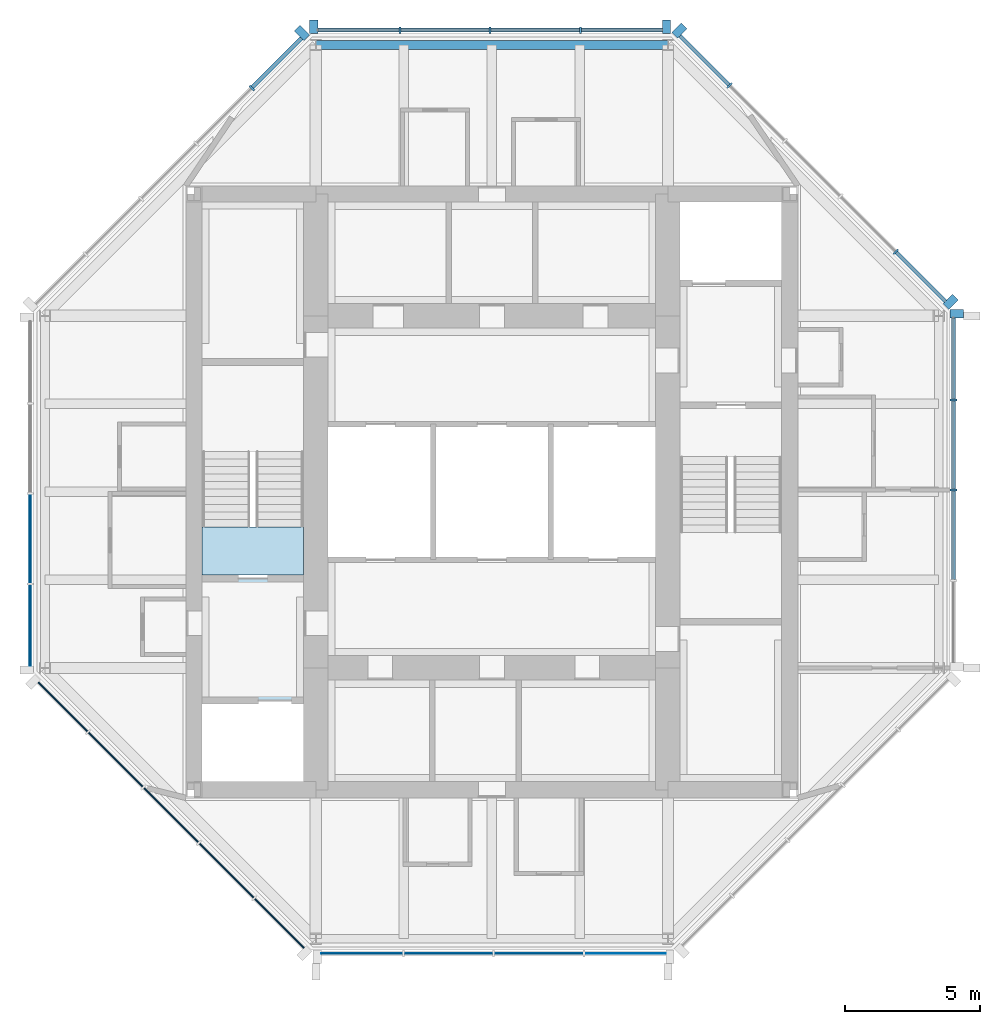
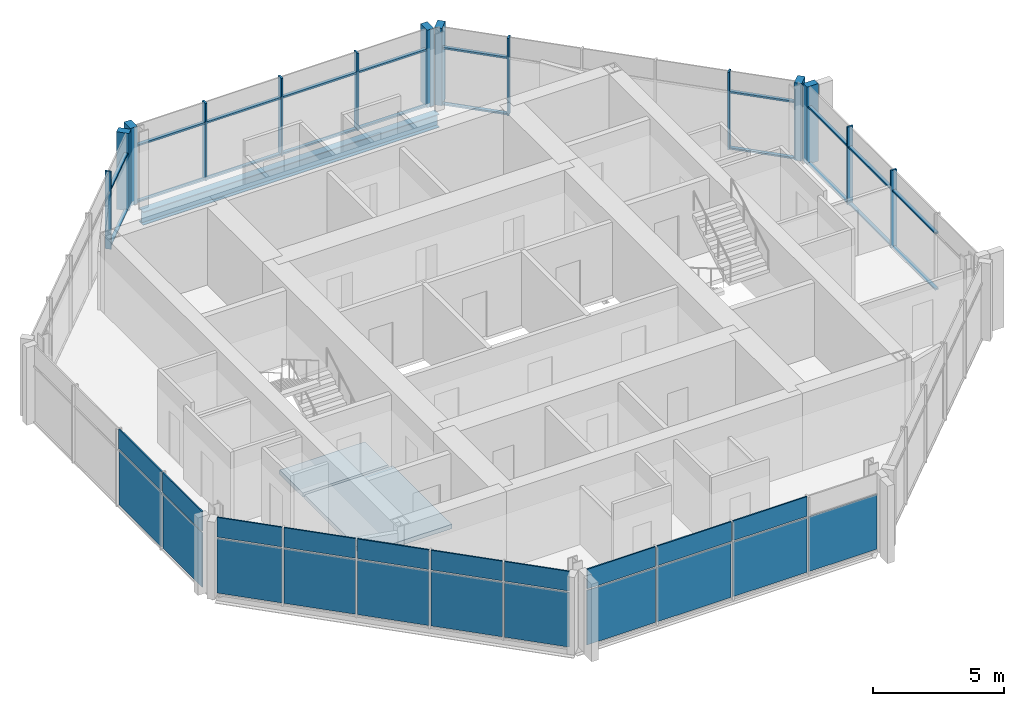
# One storey, part 3 of 8: 34 members, 21 plates, 2 slabs, 1 beam, 8 elements without a shape of their own.
"""IFC4 building model written with IfcOpenShell, lengths in metres."""

import ifcopenshell
import ifcopenshell.guid

model = None  # the IFC model being written
_history = None  # IfcOwnerHistory: only IFC2X3 demands one
_inside = {}  # id of a spatial element -> (the spatial element, [elements in it])
_under = {}  # id of a project, library or spatial element -> (it, [spatial elements below it])
_declared = {}  # id of a project -> (the project, [libraries it declares])
_typed = {}  # id of a type object -> (the type object, [elements of that type])
_made_of = {}  # id of a material, layer set ... -> (it, [elements and type objects made of it])


def new_model(schema):
    """Start an empty IFC model of exactly this schema.

    Asked for "IFC4X3", IfcOpenShell would pick the latest addendum, in which some entities
    have other attributes; the version numbers below select the first issue.
    IFC2X3 requires an IfcOwnerHistory on every rooted entity: one is made here for all.
    """
    global model, _history
    if schema == "IFC4X3":
        model = ifcopenshell.file(schema_version=(4, 3, 0, 0))
    else:
        model = ifcopenshell.file(schema=schema)
    _inside.clear()
    _under.clear()
    _declared.clear()
    _typed.clear()
    _made_of.clear()
    _history = None
    if model.schema == "IFC2X3":
        org = make("IfcOrganization", Name="unknown")
        user = make(
            "IfcPersonAndOrganization",
            ThePerson=make("IfcPerson", FamilyName="unknown"),
            TheOrganization=org,
        )
        app = make(
            "IfcApplication",
            ApplicationDeveloper=org,
            Version="unknown",
            ApplicationFullName="unknown",
            ApplicationIdentifier="unknown",
        )
        _history = make(
            "IfcOwnerHistory",
            OwningUser=user,
            OwningApplication=app,
            ChangeAction="ADDED",
            CreationDate=0,
        )
    return model


def make(cls, **values):
    """One entity of the class cls with the attributes given. An attribute that is None is left unset."""
    return model.create_entity(
        cls, **{name: value for name, value in values.items() if value is not None}
    )


def rooted(cls, **values):
    """An entity with a GlobalId (a new one), such as an element, a storey or a relation."""
    return make(cls, GlobalId=ifcopenshell.guid.new(), OwnerHistory=_history, **values)


def si_unit(unit_type, name, prefix=None):
    """IfcSIUnit, for example si_unit("LENGTHUNIT", "METRE", prefix="MILLI")."""
    return make("IfcSIUnit", UnitType=unit_type, Prefix=prefix, Name=name)


def assignment(units):
    """IfcUnitAssignment: the units of a project."""
    return None if units is None else make("IfcUnitAssignment", Units=units)


def point(xyz):
    """IfcCartesianPoint."""
    return None if xyz is None else make("IfcCartesianPoint", Coordinates=xyz)


def direction(xyz):
    """IfcDirection."""
    return None if xyz is None else make("IfcDirection", DirectionRatios=xyz)


def frame(location, z_axis=None, x_axis=None):
    """IfcAxis2Placement3D, a coordinate frame: its origin and axes. An axis left out is left unset."""
    return make(
        "IfcAxis2Placement3D",
        Location=point(location),
        Axis=direction(z_axis),
        RefDirection=direction(x_axis),
    )


def frame_2d(location, x_axis=None):
    """IfcAxis2Placement2D, a coordinate frame in the plane: its origin and x axis."""
    return make(
        "IfcAxis2Placement2D", Location=point(location), RefDirection=direction(x_axis)
    )


def origin():
    """The frame at (0, 0, 0) with its axes left unset."""
    return frame((0.0, 0.0, 0.0))


def origin_2d():
    """The frame at (0, 0) in the plane with its x axis left unset."""
    return frame_2d((0.0, 0.0))


def place(relative_to, where):
    """IfcLocalPlacement: puts the frame where relative to a parent placement (None: the world)."""
    return make(
        "IfcLocalPlacement", PlacementRelTo=relative_to, RelativePlacement=where
    )


def context(
    kind, dimensions, precision=None, world=None, true_north=None, identifier=None
):
    """IfcGeometricRepresentationContext, for example the 3D "Model" context."""
    return make(
        "IfcGeometricRepresentationContext",
        ContextIdentifier=identifier,
        ContextType=kind,
        CoordinateSpaceDimension=dimensions,
        Precision=precision,
        WorldCoordinateSystem=world,
        TrueNorth=true_north,
    )


def subcontext(parent, identifier, kind, view, scale=None):
    """IfcGeometricRepresentationSubContext, for example "Body" below "Model"."""
    return make(
        "IfcGeometricRepresentationSubContext",
        ContextIdentifier=identifier,
        ContextType=kind,
        ParentContext=parent,
        TargetScale=scale,
        TargetView=view,
    )


def project(units=None, contexts=None):
    """IfcProject with its units and contexts."""
    return rooted(
        "IfcProject",
        Name="project",
        RepresentationContexts=contexts,
        UnitsInContext=assignment(units),
    )


def spatial(cls, under=None, at=None, **own):
    """A site, building, storey or space (cls), placed at a placement, below another one or the project."""
    s = rooted(cls, ObjectPlacement=at, **own)
    if under is not None:
        _under.setdefault(under.id(), (under, []))[1].append(s)
    return s


def polyline(points):
    """IfcPolyline through the points."""
    return make("IfcPolyline", Points=[point(p) for p in points])


def profile(cls, at=None, kind="AREA", **sizes):
    """A parametric profile (cls). Its sizes go by their IFC names, for example OverallWidth=200.0."""
    return make(cls, ProfileType=kind, Position=at, **sizes)


def rectangle(**sizes):
    """IfcRectangleProfileDef."""
    return profile("IfcRectangleProfileDef", **sizes)


def i_section(**sizes):
    """IfcIShapeProfileDef."""
    return profile("IfcIShapeProfileDef", **sizes)


def outline(outer, holes=None, kind="AREA"):
    """IfcArbitraryClosedProfileDef: a profile drawn as a closed curve; with holes, ...WithVoids."""
    if holes is None:
        return make("IfcArbitraryClosedProfileDef", ProfileType=kind, OuterCurve=outer)
    return make(
        "IfcArbitraryProfileDefWithVoids",
        ProfileType=kind,
        OuterCurve=outer,
        InnerCurves=holes,
    )


def extrude(swept, where, along, depth):
    """IfcExtrudedAreaSolid: the profile swept, set in the frame where, extruded along a direction by depth."""
    return make(
        "IfcExtrudedAreaSolid",
        SweptArea=swept,
        Position=where,
        ExtrudedDirection=direction(along),
        Depth=depth,
    )


def shape(context_of_items, identifier, shape_type, items):
    """IfcShapeRepresentation: the items that make up one representation, for example the "Body"."""
    return make(
        "IfcShapeRepresentation",
        ContextOfItems=context_of_items,
        RepresentationIdentifier=identifier,
        RepresentationType=shape_type,
        Items=items,
    )


def material(Name=None, Category=None):
    """IfcMaterial."""
    return make("IfcMaterial", Name=Name, Category=Category)


def layer(
    of_material, thickness, ventilated=None, Name=None, Category=None, Priority=None
):
    """IfcMaterialLayer: one layer of a wall or slab, of a material (None: an air gap)."""
    return make(
        "IfcMaterialLayer",
        Material=of_material,
        LayerThickness=thickness,
        IsVentilated=ventilated,
        Name=Name,
        Category=Category,
        Priority=Priority,
    )


def layer_set(layers, Name=None):
    """IfcMaterialLayerSet."""
    return make("IfcMaterialLayerSet", MaterialLayers=layers, LayerSetName=Name)


def material_profile(
    of_material, cross_section, Name=None, Category=None, Priority=None
):
    """IfcMaterialProfile: a cross section and its material."""
    return make(
        "IfcMaterialProfile",
        Name=Name,
        Material=of_material,
        Profile=cross_section,
        Priority=Priority,
        Category=Category,
    )


def profile_set(profiles, Name=None, composite=None):
    """IfcMaterialProfileSet."""
    return make(
        "IfcMaterialProfileSet",
        Name=Name,
        MaterialProfiles=profiles,
        CompositeProfile=composite,
    )


def made_of(thing, what):
    """Note that an element or type object is made of a material, layer set ...; save() writes the relation."""
    if what is not None:
        _made_of.setdefault(what.id(), (what, []))[1].append(thing)
    return thing


def type_object(cls, material=None, **own):
    """A type object (cls), such as IfcWallType, which elements share."""
    return made_of(rooted(cls, **own), material)


def element(
    cls,
    number,
    at=None,
    inside=None,
    cuts=None,
    type_object=None,
    material=None,
    context=None,
    identifier="Body",
    shape_type=None,
    held_by="IfcProductDefinitionShape",
    body=None,
    shapes=None,
    **own,
):
    """One element of the class cls, such as IfcWall. Its Tag is "e" and its number.

    at: its placement. inside: the storey or other place that contains it. cuts: it is an
    opening in that element (IfcRelVoidsElement). A single representation is given by context,
    identifier, shape_type and body (its items); several are given by shapes. held_by: the class
    of the entity that holds the representations. save() writes the other relations.
    """
    e = rooted(cls, Tag="e%d" % number, ObjectPlacement=at, **own)
    if body is not None:
        shapes = [shape(context, identifier, shape_type, body)]
    if shapes is not None:
        e.Representation = make(held_by, Representations=shapes)
    if inside is not None:
        _inside.setdefault(inside.id(), (inside, []))[1].append(e)
    if cuts is not None:
        rooted(
            "IfcRelVoidsElement", RelatingBuildingElement=cuts, RelatedOpeningElement=e
        )
    if type_object is not None:
        _typed.setdefault(type_object.id(), (type_object, []))[1].append(e)
    return made_of(e, material)


def aggregate(whole, parts):
    """IfcRelAggregates: a whole, such as a stair, and the parts it consists of."""
    return rooted("IfcRelAggregates", RelatingObject=whole, RelatedObjects=parts)


def save(model, path):
    """Write the relations noted so far, then the file.

    IfcRelAggregates (storeys below a building ...), IfcRelContainedInSpatialStructure (elements
    in a storey), IfcRelDefinesByType, IfcRelAssociatesMaterial and IfcRelDeclares: one each for
    every whole, place, type object, material and project.
    """
    for whole, parts in _under.values():
        aggregate(whole, parts)
    for where, things in _inside.values():
        rooted(
            "IfcRelContainedInSpatialStructure",
            RelatedElements=things,
            RelatingStructure=where,
        )
    for kind, things in _typed.values():
        rooted("IfcRelDefinesByType", RelatedObjects=things, RelatingType=kind)
    for what, things in _made_of.values():
        rooted("IfcRelAssociatesMaterial", RelatedObjects=things, RelatingMaterial=what)
    for by, libraries in _declared.values():
        rooted("IfcRelDeclares", RelatingContext=by, RelatedDefinitions=libraries)
    model.write(path)


model = new_model("IFC4")

# Units and contexts
model_context = context("Model", 3, precision=1e-05, world=origin(), true_north=direction((0.0, 1.0)))
body_context = subcontext(model_context, "Body", "Model", "MODEL_VIEW")
ifc_project = project(units=[si_unit("LENGTHUNIT", "METRE"), si_unit("AREAUNIT", "SQUARE_METRE"), si_unit("VOLUMEUNIT", "CUBIC_METRE"), si_unit("PLANEANGLEUNIT", "RADIAN"), si_unit("MASSUNIT", "GRAM", prefix="KILO")], contexts=[model_context])

# Site, building, storey
site_placement = place(None, origin())
site = spatial("IfcSite", under=ifc_project, at=site_placement, CompositionType="ELEMENT")
building_placement = place(site_placement, origin())
building = spatial("IfcBuilding", under=site, at=building_placement, Name="Trevanion Tower", CompositionType="ELEMENT")
storey_placement = place(building_placement, frame((0.0, 0.0, 274.0)))
storey = spatial("IfcBuildingStorey", under=building, at=storey_placement, Name="L67", CompositionType="ELEMENT", Elevation=274.0)

# Curtain wall, members
ifc_material_1 = material(Name="Aluminium and glass", Category="aluminium")
curtain_wall_type = type_object("IfcCurtainWallType", Name="CW4 curtain wall", PredefinedType="USERDEFINED", material=ifc_material_1)
curtain_wall_1_placement = place(storey_placement, origin())
curtain_wall_1 = element("IfcCurtainWall", 1, at=curtain_wall_1_placement, inside=storey, type_object=curtain_wall_type, Name="CW4 L67 0", ObjectType="UNITISED CURTAIN WALL", PredefinedType="USERDEFINED")
ifc_material_2 = material(Name="Aluminium extrusion, anodised bronze", Category="aluminium")
ifc_material_profile_1 = material_profile(ifc_material_2, rectangle(XDim=0.074951171875, YDim=0.25, at=origin_2d()), Name="CW4 mullion")
ifc_profile_set_1 = profile_set([ifc_material_profile_1], Name="Aluminium extrusion, anodised bronze")
member_type_1 = type_object("IfcMemberType", Name="CW4 mullion", PredefinedType="MULLION", material=ifc_profile_set_1)
member_1_placement = place(storey_placement, frame((17.050048828125, 0.06494140625, -0.18994140625), z_axis=(0.0, 0.0, 1.0), x_axis=(0.0, 1.0, 0.0)))
member_1 = element("IfcMember", 2, at=member_1_placement, type_object=member_type_1, Name="CW4 mullion 3", PredefinedType="MULLION", context=body_context, shape_type="SweptSolid", body=[
    extrude(rectangle(XDim=0.074951171875, YDim=0.25, at=origin_2d()), origin(), (0.0, 0.0, 1.0), 3.599853515625),
])
member_2_placement = place(storey_placement, frame((17.050048828125, 3.396484375, -0.18994140625), z_axis=(0.0, 0.0, 1.0), x_axis=(0.0, 1.0, 0.0)))
member_2 = element("IfcMember", 3, at=member_2_placement, type_object=member_type_1, Name="CW4 mullion 4", PredefinedType="MULLION", context=body_context, shape_type="SweptSolid", body=[
    extrude(rectangle(XDim=0.074951171875, YDim=0.25, at=origin_2d()), origin(), (0.0, 0.0, 1.0), 3.599853515625),
])

curtain_wall_2_placement = place(storey_placement, origin())
curtain_wall_2 = element("IfcCurtainWall", 4, at=curtain_wall_2_placement, inside=storey, type_object=curtain_wall_type, Name="CW4 L67 1", ObjectType="UNITISED CURTAIN WALL", PredefinedType="USERDEFINED")
member_3_placement = place(storey_placement, frame((14.912109375, 8.86572265625, -0.18994140625), z_axis=(0.0, 0.0, 1.0), x_axis=(-0.707106781187, 0.707106781187, 0.0)))
member_3 = element("IfcMember", 5, at=member_3_placement, type_object=member_type_1, Name="CW4 mullion 2", PredefinedType="MULLION", context=body_context, shape_type="SweptSolid", body=[
    extrude(rectangle(XDim=0.074951171875, YDim=0.25, at=origin_2d()), origin(), (0.0, 0.0, 1.0), 3.599853515625),
])
member_4_placement = place(storey_placement, frame((8.77392578125, 15.00390625, -0.18994140625), z_axis=(0.0, 0.0, 1.0), x_axis=(-0.707106781187, 0.707106781187, 0.0)))
member_4 = element("IfcMember", 6, at=member_4_placement, type_object=member_type_1, Name="CW4 mullion 5", PredefinedType="MULLION", context=body_context, shape_type="SweptSolid", body=[
    extrude(rectangle(XDim=0.074951171875, YDim=0.25, at=origin_2d()), origin(), (0.0, 0.0, 1.0), 3.599853515625),
])

curtain_wall_3_placement = place(storey_placement, origin())
curtain_wall_3 = element("IfcCurtainWall", 7, at=curtain_wall_3_placement, inside=storey, type_object=curtain_wall_type, Name="CW4 L67 2", ObjectType="UNITISED CURTAIN WALL", PredefinedType="USERDEFINED")
member_5_placement = place(storey_placement, frame((3.266357421875, 17.050048828125, -0.18994140625), z_axis=(0.0, 0.0, 1.0), x_axis=(-1.0, 0.0, 0.0)))
member_5 = element("IfcMember", 8, at=member_5_placement, type_object=member_type_1, Name="CW4 mullion 2", PredefinedType="MULLION", context=body_context, shape_type="SweptSolid", body=[
    extrude(rectangle(XDim=0.074951171875, YDim=0.25, at=origin_2d()), origin(), (0.0, 0.0, 1.0), 3.599853515625),
])
member_6_placement = place(storey_placement, frame((-0.06494140625, 17.050048828125, -0.18994140625), z_axis=(0.0, 0.0, 1.0), x_axis=(-1.0, 0.0, 0.0)))
member_6 = element("IfcMember", 9, at=member_6_placement, type_object=member_type_1, Name="CW4 mullion 3", PredefinedType="MULLION", context=body_context, shape_type="SweptSolid", body=[
    extrude(rectangle(XDim=0.074951171875, YDim=0.25, at=origin_2d()), origin(), (0.0, 0.0, 1.0), 3.599853515625),
])
member_7_placement = place(storey_placement, frame((-3.396484375, 17.050048828125, -0.18994140625), z_axis=(0.0, 0.0, 1.0), x_axis=(-1.0, 0.0, 0.0)))
member_7 = element("IfcMember", 10, at=member_7_placement, type_object=member_type_1, Name="CW4 mullion 4", PredefinedType="MULLION", context=body_context, shape_type="SweptSolid", body=[
    extrude(rectangle(XDim=0.074951171875, YDim=0.25, at=origin_2d()), origin(), (0.0, 0.0, 1.0), 3.599853515625),
])

# Curtain wall, member
curtain_wall_4_placement = place(storey_placement, origin())
curtain_wall_4 = element("IfcCurtainWall", 11, at=curtain_wall_4_placement, inside=storey, type_object=curtain_wall_type, Name="CW4 L67 3", ObjectType="UNITISED CURTAIN WALL", PredefinedType="USERDEFINED")
member_8_placement = place(storey_placement, frame((-8.86572265625, 14.912109375, -0.18994140625), z_axis=(0.0, 0.0, 1.0), x_axis=(-0.707106781187, -0.707106781187, 0.0)))
member_8 = element("IfcMember", 12, at=member_8_placement, type_object=member_type_1, Name="CW4 mullion 2", PredefinedType="MULLION", context=body_context, shape_type="SweptSolid", body=[
    extrude(rectangle(XDim=0.074951171875, YDim=0.25, at=origin_2d()), origin(), (0.0, 0.0, 1.0), 3.599853515625),
])

# Member
ifc_material_3 = material(Name="Aluminium extrusion, anodised bronze", Category="aluminium")
ifc_material_profile_2 = material_profile(ifc_material_3, rectangle(XDim=0.300048828125, YDim=0.5, at=origin_2d()), Name="CW4 pier mullion")
ifc_profile_set_2 = profile_set([ifc_material_profile_2], Name="Aluminium extrusion, anodised bronze")
member_type_2 = type_object("IfcMemberType", Name="CW4 pier mullion", PredefinedType="MULLION", material=ifc_profile_set_2)
member_9_placement = place(storey_placement, frame((17.175048828125, 6.577880859375, -0.18994140625), z_axis=(0.0, 0.0, 1.0), x_axis=(0.0, 1.0, 0.0)))
member_9 = element("IfcMember", 13, at=member_9_placement, type_object=member_type_2, Name="CW4 pier mullion 5", PredefinedType="MULLION", context=body_context, shape_type="SweptSolid", body=[
    extrude(rectangle(XDim=0.300048828125, YDim=0.5, at=origin_2d()), origin(), (0.0, 0.0, 1.0), 3.599853515625),
])

member_10_placement = place(storey_placement, frame((16.9404296875, 7.01416015625, -0.18994140625), z_axis=(0.0, 0.0, 1.0), x_axis=(-0.707106781187, 0.707106781187, 0.0)))
member_10 = element("IfcMember", 14, at=member_10_placement, type_object=member_type_2, Name="CW4 pier mullion 1", PredefinedType="MULLION", context=body_context, shape_type="SweptSolid", body=[
    extrude(rectangle(XDim=0.300048828125, YDim=0.5, at=origin_2d()), origin(), (0.0, 0.0, 1.0), 3.599853515625),
])

member_11_placement = place(storey_placement, frame((6.92236328125, 17.0322265625, -0.18994140625), z_axis=(0.0, 0.0, 1.0), x_axis=(-0.707106781187, 0.707106781187, 0.0)))
member_11 = element("IfcMember", 15, at=member_11_placement, type_object=member_type_2, Name="CW4 pier mullion 6", PredefinedType="MULLION", context=body_context, shape_type="SweptSolid", body=[
    extrude(rectangle(XDim=0.300048828125, YDim=0.5, at=origin_2d()), origin(), (0.0, 0.0, 1.0), 3.599853515625),
])

member_12_placement = place(storey_placement, frame((6.44775390625, 17.175048828125, -0.18994140625), z_axis=(0.0, 0.0, 1.0), x_axis=(-1.0, 0.0, 0.0)))
member_12 = element("IfcMember", 16, at=member_12_placement, type_object=member_type_2, Name="CW4 pier mullion 1", PredefinedType="MULLION", context=body_context, shape_type="SweptSolid", body=[
    extrude(rectangle(XDim=0.300048828125, YDim=0.5, at=origin_2d()), origin(), (0.0, 0.0, 1.0), 3.599853515625),
])

member_13_placement = place(storey_placement, frame((-6.577880859375, 17.175048828125, -0.18994140625), z_axis=(0.0, 0.0, 1.0), x_axis=(-1.0, 0.0, 0.0)))
member_13 = element("IfcMember", 17, at=member_13_placement, type_object=member_type_2, Name="CW4 pier mullion 5", PredefinedType="MULLION", context=body_context, shape_type="SweptSolid", body=[
    extrude(rectangle(XDim=0.300048828125, YDim=0.5, at=origin_2d()), origin(), (0.0, 0.0, 1.0), 3.599853515625),
])

member_14_placement = place(storey_placement, frame((-7.01416015625, 16.9404296875, -0.18994140625), z_axis=(0.0, 0.0, 1.0), x_axis=(-0.707106781187, -0.707106781187, 0.0)))
member_14 = element("IfcMember", 18, at=member_14_placement, type_object=member_type_2, Name="CW4 pier mullion 1", PredefinedType="MULLION", context=body_context, shape_type="SweptSolid", body=[
    extrude(rectangle(XDim=0.300048828125, YDim=0.5, at=origin_2d()), origin(), (0.0, 0.0, 1.0), 3.599853515625),
])

ifc_material_4 = material(Name="Aluminium extrusion, anodised bronze", Category="aluminium")
ifc_material_profile_3 = material_profile(ifc_material_4, rectangle(XDim=0.14990234375, YDim=0.074951171875, at=origin_2d()), Name="CW4 transom")
ifc_profile_set_3 = profile_set([ifc_material_profile_3], Name="Aluminium extrusion, anodised bronze")
member_type_3 = type_object("IfcMemberType", Name="CW4 transom", PredefinedType="USERDEFINED", material=ifc_profile_set_3)
member_15_placement = place(storey_placement, frame((17.050048828125, -3.22900390625, -0.152587890625), z_axis=(0.0, 1.0, 0.0), x_axis=(-1.0, 0.0, 0.0)))
member_15 = element("IfcMember", 19, at=member_15_placement, type_object=member_type_3, Name="CW4 transom 2.1", ObjectType="TRANSOM", PredefinedType="USERDEFINED", context=body_context, shape_type="SweptSolid", body=[
    extrude(rectangle(XDim=0.14990234375, YDim=0.074951171875, at=origin_2d()), origin(), (0.0, 0.0, 1.0), 3.256591796875),
])

member_16_placement = place(storey_placement, frame((17.050048828125, -3.22900390625, 2.4599609375), z_axis=(0.0, 1.0, 0.0), x_axis=(-1.0, 0.0, 0.0)))
member_16 = element("IfcMember", 20, at=member_16_placement, type_object=member_type_3, Name="CW4 transom 2.2", ObjectType="TRANSOM", PredefinedType="USERDEFINED", context=body_context, shape_type="SweptSolid", body=[
    extrude(rectangle(XDim=0.14990234375, YDim=0.074951171875, at=origin_2d()), origin(), (0.0, 0.0, 1.0), 3.256591796875),
])

member_17_placement = place(storey_placement, frame((17.050048828125, 0.1025390625, -0.152587890625), z_axis=(0.0, 1.0, 0.0), x_axis=(-1.0, 0.0, 0.0)))
member_17 = element("IfcMember", 21, at=member_17_placement, type_object=member_type_3, Name="CW4 transom 3.1", ObjectType="TRANSOM", PredefinedType="USERDEFINED", context=body_context, shape_type="SweptSolid", body=[
    extrude(rectangle(XDim=0.14990234375, YDim=0.074951171875, at=origin_2d()), origin(), (0.0, 0.0, 1.0), 3.25634765625),
])

member_18_placement = place(storey_placement, frame((17.050048828125, 0.1025390625, 2.4599609375), z_axis=(0.0, 1.0, 0.0), x_axis=(-1.0, 0.0, 0.0)))
member_18 = element("IfcMember", 22, at=member_18_placement, type_object=member_type_3, Name="CW4 transom 3.2", ObjectType="TRANSOM", PredefinedType="USERDEFINED", context=body_context, shape_type="SweptSolid", body=[
    extrude(rectangle(XDim=0.14990234375, YDim=0.074951171875, at=origin_2d()), origin(), (0.0, 0.0, 1.0), 3.25634765625),
])

member_19_placement = place(storey_placement, frame((17.050048828125, 3.433837890625, -0.152587890625), z_axis=(0.0, 1.0, 0.0), x_axis=(-1.0, 0.0, 0.0)))
member_19 = element("IfcMember", 23, at=member_19_placement, type_object=member_type_3, Name="CW4 transom 4.1", ObjectType="TRANSOM", PredefinedType="USERDEFINED", context=body_context, shape_type="SweptSolid", body=[
    extrude(rectangle(XDim=0.14990234375, YDim=0.074951171875, at=origin_2d()), origin(), (0.0, 0.0, 1.0), 2.993896484375),
])

member_20_placement = place(storey_placement, frame((17.050048828125, 3.433837890625, 2.4599609375), z_axis=(0.0, 1.0, 0.0), x_axis=(-1.0, 0.0, 0.0)))
member_20 = element("IfcMember", 24, at=member_20_placement, type_object=member_type_3, Name="CW4 transom 4.2", ObjectType="TRANSOM", PredefinedType="USERDEFINED", context=body_context, shape_type="SweptSolid", body=[
    extrude(rectangle(XDim=0.14990234375, YDim=0.074951171875, at=origin_2d()), origin(), (0.0, 0.0, 1.0), 2.993896484375),
])

aggregate(curtain_wall_1, [member_1, member_2, member_9, member_15, member_16, member_17, member_18, member_19, member_20])

member_21_placement = place(storey_placement, frame((16.745849609375, 7.031982421875, -0.152587890625), z_axis=(-0.707106781187, 0.707106781187, 0.0), x_axis=(-0.707106781187, -0.707106781187, 0.0)))
member_21 = element("IfcMember", 25, at=member_21_placement, type_object=member_type_3, Name="CW4 transom 1.1", ObjectType="TRANSOM", PredefinedType="USERDEFINED", context=body_context, shape_type="SweptSolid", body=[
    extrude(rectangle(XDim=0.14990234375, YDim=0.074951171875, at=origin_2d()), origin(), (0.0, 0.0, 1.0), 2.555908203125),
])

member_22_placement = place(storey_placement, frame((16.745849609375, 7.031982421875, 2.4599609375), z_axis=(-0.707106781187, 0.707106781187, 0.0), x_axis=(-0.707106781187, -0.707106781187, 0.0)))
member_22 = element("IfcMember", 26, at=member_22_placement, type_object=member_type_3, Name="CW4 transom 1.2", ObjectType="TRANSOM", PredefinedType="USERDEFINED", context=body_context, shape_type="SweptSolid", body=[
    extrude(rectangle(XDim=0.14990234375, YDim=0.074951171875, at=origin_2d()), origin(), (0.0, 0.0, 1.0), 2.555908203125),
])

member_23_placement = place(storey_placement, frame((8.747314453125, 15.030517578125, -0.152587890625), z_axis=(-0.707106781187, 0.707106781187, 0.0), x_axis=(-0.707106781187, -0.707106781187, 0.0)))
member_23 = element("IfcMember", 27, at=member_23_placement, type_object=member_type_3, Name="CW4 transom 5.1", ObjectType="TRANSOM", PredefinedType="USERDEFINED", context=body_context, shape_type="SweptSolid", body=[
    extrude(rectangle(XDim=0.14990234375, YDim=0.074951171875, at=origin_2d()), origin(), (0.0, 0.0, 1.0), 2.555908203125),
])

member_24_placement = place(storey_placement, frame((8.747314453125, 15.030517578125, 2.4599609375), z_axis=(-0.707106781187, 0.707106781187, 0.0), x_axis=(-0.707106781187, -0.707106781187, 0.0)))
member_24 = element("IfcMember", 28, at=member_24_placement, type_object=member_type_3, Name="CW4 transom 5.2", ObjectType="TRANSOM", PredefinedType="USERDEFINED", context=body_context, shape_type="SweptSolid", body=[
    extrude(rectangle(XDim=0.14990234375, YDim=0.074951171875, at=origin_2d()), origin(), (0.0, 0.0, 1.0), 2.555908203125),
])

aggregate(curtain_wall_2, [member_10, member_3, member_4, member_11, member_21, member_22, member_23, member_24])

member_25_placement = place(storey_placement, frame((6.2978515625, 17.050048828125, -0.152587890625), z_axis=(-1.0, 0.0, 0.0), x_axis=(0.0, -1.0, 0.0)))
member_25 = element("IfcMember", 29, at=member_25_placement, type_object=member_type_3, Name="CW4 transom 1.1", ObjectType="TRANSOM", PredefinedType="USERDEFINED", context=body_context, shape_type="SweptSolid", body=[
    extrude(rectangle(XDim=0.14990234375, YDim=0.074951171875, at=origin_2d()), origin(), (0.0, 0.0, 1.0), 2.993896484375),
])

member_26_placement = place(storey_placement, frame((6.2978515625, 17.050048828125, 2.4599609375), z_axis=(-1.0, 0.0, 0.0), x_axis=(0.0, -1.0, 0.0)))
member_26 = element("IfcMember", 30, at=member_26_placement, type_object=member_type_3, Name="CW4 transom 1.2", ObjectType="TRANSOM", PredefinedType="USERDEFINED", context=body_context, shape_type="SweptSolid", body=[
    extrude(rectangle(XDim=0.14990234375, YDim=0.074951171875, at=origin_2d()), origin(), (0.0, 0.0, 1.0), 2.993896484375),
])

member_27_placement = place(storey_placement, frame((3.22900390625, 17.050048828125, -0.152587890625), z_axis=(-1.0, 0.0, 0.0), x_axis=(0.0, -1.0, 0.0)))
member_27 = element("IfcMember", 31, at=member_27_placement, type_object=member_type_3, Name="CW4 transom 2.1", ObjectType="TRANSOM", PredefinedType="USERDEFINED", context=body_context, shape_type="SweptSolid", body=[
    extrude(rectangle(XDim=0.14990234375, YDim=0.074951171875, at=origin_2d()), origin(), (0.0, 0.0, 1.0), 3.256591796875),
])

member_28_placement = place(storey_placement, frame((3.22900390625, 17.050048828125, 2.4599609375), z_axis=(-1.0, 0.0, 0.0), x_axis=(0.0, -1.0, 0.0)))
member_28 = element("IfcMember", 32, at=member_28_placement, type_object=member_type_3, Name="CW4 transom 2.2", ObjectType="TRANSOM", PredefinedType="USERDEFINED", context=body_context, shape_type="SweptSolid", body=[
    extrude(rectangle(XDim=0.14990234375, YDim=0.074951171875, at=origin_2d()), origin(), (0.0, 0.0, 1.0), 3.256591796875),
])

member_29_placement = place(storey_placement, frame((-0.1025390625, 17.050048828125, -0.152587890625), z_axis=(-1.0, 0.0, 0.0), x_axis=(0.0, -1.0, 0.0)))
member_29 = element("IfcMember", 33, at=member_29_placement, type_object=member_type_3, Name="CW4 transom 3.1", ObjectType="TRANSOM", PredefinedType="USERDEFINED", context=body_context, shape_type="SweptSolid", body=[
    extrude(rectangle(XDim=0.14990234375, YDim=0.074951171875, at=origin_2d()), origin(), (0.0, 0.0, 1.0), 3.25634765625),
])

member_30_placement = place(storey_placement, frame((-0.1025390625, 17.050048828125, 2.4599609375), z_axis=(-1.0, 0.0, 0.0), x_axis=(0.0, -1.0, 0.0)))
member_30 = element("IfcMember", 34, at=member_30_placement, type_object=member_type_3, Name="CW4 transom 3.2", ObjectType="TRANSOM", PredefinedType="USERDEFINED", context=body_context, shape_type="SweptSolid", body=[
    extrude(rectangle(XDim=0.14990234375, YDim=0.074951171875, at=origin_2d()), origin(), (0.0, 0.0, 1.0), 3.25634765625),
])

member_31_placement = place(storey_placement, frame((-3.433837890625, 17.050048828125, -0.152587890625), z_axis=(-1.0, 0.0, 0.0), x_axis=(0.0, -1.0, 0.0)))
member_31 = element("IfcMember", 35, at=member_31_placement, type_object=member_type_3, Name="CW4 transom 4.1", ObjectType="TRANSOM", PredefinedType="USERDEFINED", context=body_context, shape_type="SweptSolid", body=[
    extrude(rectangle(XDim=0.14990234375, YDim=0.074951171875, at=origin_2d()), origin(), (0.0, 0.0, 1.0), 2.993896484375),
])

member_32_placement = place(storey_placement, frame((-3.433837890625, 17.050048828125, 2.4599609375), z_axis=(-1.0, 0.0, 0.0), x_axis=(0.0, -1.0, 0.0)))
member_32 = element("IfcMember", 36, at=member_32_placement, type_object=member_type_3, Name="CW4 transom 4.2", ObjectType="TRANSOM", PredefinedType="USERDEFINED", context=body_context, shape_type="SweptSolid", body=[
    extrude(rectangle(XDim=0.14990234375, YDim=0.074951171875, at=origin_2d()), origin(), (0.0, 0.0, 1.0), 2.993896484375),
])

aggregate(curtain_wall_3, [member_12, member_5, member_6, member_7, member_13, member_25, member_26, member_27, member_28, member_29, member_30, member_31, member_32])

member_33_placement = place(storey_placement, frame((-7.031982421875, 16.745849609375, -0.152587890625), z_axis=(-0.707106781187, -0.707106781187, 0.0), x_axis=(0.707106781187, -0.707106781187, 0.0)))
member_33 = element("IfcMember", 37, at=member_33_placement, type_object=member_type_3, Name="CW4 transom 1.1", ObjectType="TRANSOM", PredefinedType="USERDEFINED", context=body_context, shape_type="SweptSolid", body=[
    extrude(rectangle(XDim=0.14990234375, YDim=0.074951171875, at=origin_2d()), origin(), (0.0, 0.0, 1.0), 2.555908203125),
])

member_34_placement = place(storey_placement, frame((-7.031982421875, 16.745849609375, 2.4599609375), z_axis=(-0.707106781187, -0.707106781187, 0.0), x_axis=(0.707106781187, -0.707106781187, 0.0)))
member_34 = element("IfcMember", 38, at=member_34_placement, type_object=member_type_3, Name="CW4 transom 1.2", ObjectType="TRANSOM", PredefinedType="USERDEFINED", context=body_context, shape_type="SweptSolid", body=[
    extrude(rectangle(XDim=0.14990234375, YDim=0.074951171875, at=origin_2d()), origin(), (0.0, 0.0, 1.0), 2.555908203125),
])

aggregate(curtain_wall_4, [member_14, member_8, member_33, member_34])

# Beam
ifc_material_5 = material(Name="Steel ASTM A992 Grade 50", Category="steel")
ifc_material_profile_4 = material_profile(ifc_material_5, i_section(OverallWidth=0.32763671875, OverallDepth=0.622314453125, WebThickness=0.015380859375, FlangeThickness=0.0244140625, at=origin_2d()), Name="W24X131")
ifc_profile_set_4 = profile_set([ifc_material_profile_4], Name="Steel ASTM A992 Grade 50")
beam_type = type_object("IfcBeamType", Name="SB12 W24X131", PredefinedType="SPANDREL", material=ifc_profile_set_4)
beam_placement = place(storey_placement, frame((6.5, 16.5, -0.501220703125), z_axis=(-1.0, 0.0, 0.0), x_axis=(0.0, -1.0, 0.0)))
element("IfcBeam", 39, at=beam_placement, inside=storey, type_object=beam_type, Name="SB12 L67", PredefinedType="SPANDREL", context=body_context, shape_type="SweptSolid", body=[
    extrude(i_section(OverallWidth=0.32763671875, OverallDepth=0.622314453125, WebThickness=0.015380859375, FlangeThickness=0.0244140625, at=origin_2d()), origin(), (0.0, 0.0, 1.0), 13.0),
])

# Curtain wall, plates
curtain_wall_5_placement = place(storey_placement, origin())
curtain_wall_5 = element("IfcCurtainWall", 40, at=curtain_wall_5_placement, inside=storey, type_object=curtain_wall_type, Name="CW4 L67 4", ObjectType="UNITISED CURTAIN WALL", PredefinedType="USERDEFINED")
ifc_material_6 = material(Name="Aluminium spandrel panel", Category="aluminium")
ifc_layer_1 = layer(ifc_material_6, 0.06005859375)
ifc_layer_set_1 = layer_set([ifc_layer_1], Name="CW4 spandrel panel")
plate_type_1 = type_object("IfcPlateType", Name="CW4 spandrel panel", PredefinedType="CURTAIN_PANEL", material=ifc_layer_set_1)
plate_1_placement = place(storey_placement, frame((-17.050048828125, -1.730712890625, 2.49755859375), z_axis=(0.0, 0.0, 1.0), x_axis=(0.0, -1.0, 0.0)))
plate_1 = element("IfcPlate", 41, at=plate_1_placement, type_object=plate_type_1, Name="CW4 panel 3.2", PredefinedType="CURTAIN_PANEL", context=body_context, shape_type="SweptSolid", body=[
    extrude(rectangle(XDim=3.25634765625, YDim=0.06005859375, at=origin_2d()), origin(), (0.0, 0.0, 1.0), 0.91259765625),
])
plate_2_placement = place(storey_placement, frame((-17.050048828125, -4.930908203125, 2.49755859375), z_axis=(0.0, 0.0, 1.0), x_axis=(0.0, -1.0, 0.0)))
plate_2 = element("IfcPlate", 42, at=plate_2_placement, type_object=plate_type_1, Name="CW4 panel 4.2", PredefinedType="CURTAIN_PANEL", context=body_context, shape_type="SweptSolid", body=[
    extrude(rectangle(XDim=2.993896484375, YDim=0.06005859375, at=origin_2d()), origin(), (0.0, 0.0, 1.0), 0.91259765625),
])

curtain_wall_6_placement = place(storey_placement, origin())
curtain_wall_6 = element("IfcCurtainWall", 43, at=curtain_wall_6_placement, inside=storey, type_object=curtain_wall_type, Name="CW4 L67 5", ObjectType="UNITISED CURTAIN WALL", PredefinedType="USERDEFINED")
plate_3_placement = place(storey_placement, frame((-15.84228515625, -7.935546875, 2.49755859375), z_axis=(0.0, 0.0, 1.0), x_axis=(0.707106781187, -0.707106781187, 0.0)))
plate_3 = element("IfcPlate", 44, at=plate_3_placement, type_object=plate_type_1, Name="CW4 panel 1.2", PredefinedType="CURTAIN_PANEL", context=body_context, shape_type="SweptSolid", body=[
    extrude(rectangle(XDim=2.55615234375, YDim=0.06005859375, at=origin_2d()), origin(), (0.0, 0.0, 1.0), 0.91259765625),
])
plate_4_placement = place(storey_placement, frame((-13.888916015625, -9.888916015625, 2.49755859375), z_axis=(0.0, 0.0, 1.0), x_axis=(0.707106781187, -0.707106781187, 0.0)))
plate_4 = element("IfcPlate", 45, at=plate_4_placement, type_object=plate_type_1, Name="CW4 panel 2.2", PredefinedType="CURTAIN_PANEL", context=body_context, shape_type="SweptSolid", body=[
    extrude(rectangle(XDim=2.818603515625, YDim=0.06005859375, at=origin_2d()), origin(), (0.0, 0.0, 1.0), 0.91259765625),
])
plate_5_placement = place(storey_placement, frame((-11.843017578125, -11.934814453125, 2.49755859375), z_axis=(0.0, 0.0, 1.0), x_axis=(0.707106781187, -0.707106781187, 0.0)))
plate_5 = element("IfcPlate", 46, at=plate_5_placement, type_object=plate_type_1, Name="CW4 panel 3.2", PredefinedType="CURTAIN_PANEL", context=body_context, shape_type="SweptSolid", body=[
    extrude(rectangle(XDim=2.818603515625, YDim=0.06005859375, at=origin_2d()), origin(), (0.0, 0.0, 1.0), 0.91259765625),
])
plate_6_placement = place(storey_placement, frame((-9.796875, -13.98095703125, 2.49755859375), z_axis=(0.0, 0.0, 1.0), x_axis=(0.707106781187, -0.707106781187, 0.0)))
plate_6 = element("IfcPlate", 47, at=plate_6_placement, type_object=plate_type_1, Name="CW4 panel 4.2", PredefinedType="CURTAIN_PANEL", context=body_context, shape_type="SweptSolid", body=[
    extrude(rectangle(XDim=2.818603515625, YDim=0.06005859375, at=origin_2d()), origin(), (0.0, 0.0, 1.0), 0.91259765625),
])
plate_7_placement = place(storey_placement, frame((-7.84375, -15.93408203125, 2.49755859375), z_axis=(0.0, 0.0, 1.0), x_axis=(0.707106781187, -0.707106781187, 0.0)))
plate_7 = element("IfcPlate", 48, at=plate_7_placement, type_object=plate_type_1, Name="CW4 panel 5.2", PredefinedType="CURTAIN_PANEL", context=body_context, shape_type="SweptSolid", body=[
    extrude(rectangle(XDim=2.55615234375, YDim=0.06005859375, at=origin_2d()), origin(), (0.0, 0.0, 1.0), 0.91259765625),
])

curtain_wall_7_placement = place(storey_placement, origin())
curtain_wall_7 = element("IfcCurtainWall", 49, at=curtain_wall_7_placement, inside=storey, type_object=curtain_wall_type, Name="CW4 L67 6", ObjectType="UNITISED CURTAIN WALL", PredefinedType="USERDEFINED")
plate_8_placement = place(storey_placement, frame((-4.80078125, -17.050048828125, 2.49755859375), z_axis=(0.0, 0.0, 1.0), x_axis=(1.0, 0.0, 0.0)))
plate_8 = element("IfcPlate", 50, at=plate_8_placement, type_object=plate_type_1, Name="CW4 panel 1.2", PredefinedType="CURTAIN_PANEL", context=body_context, shape_type="SweptSolid", body=[
    extrude(rectangle(XDim=2.993896484375, YDim=0.06005859375, at=origin_2d()), origin(), (0.0, 0.0, 1.0), 0.91259765625),
])
plate_9_placement = place(storey_placement, frame((-1.6005859375, -17.050048828125, 2.49755859375), z_axis=(0.0, 0.0, 1.0), x_axis=(1.0, 0.0, 0.0)))
plate_9 = element("IfcPlate", 51, at=plate_9_placement, type_object=plate_type_1, Name="CW4 panel 2.2", PredefinedType="CURTAIN_PANEL", context=body_context, shape_type="SweptSolid", body=[
    extrude(rectangle(XDim=3.25634765625, YDim=0.06005859375, at=origin_2d()), origin(), (0.0, 0.0, 1.0), 0.91259765625),
])
plate_10_placement = place(storey_placement, frame((1.730712890625, -17.050048828125, 2.49755859375), z_axis=(0.0, 0.0, 1.0), x_axis=(1.0, 0.0, 0.0)))
plate_10 = element("IfcPlate", 52, at=plate_10_placement, type_object=plate_type_1, Name="CW4 panel 3.2", PredefinedType="CURTAIN_PANEL", context=body_context, shape_type="SweptSolid", body=[
    extrude(rectangle(XDim=3.25634765625, YDim=0.06005859375, at=origin_2d()), origin(), (0.0, 0.0, 1.0), 0.91259765625),
])

# Plate
ifc_material_7 = material(Name="Insulating glass unit", Category="glass")
ifc_layer_2 = layer(ifc_material_7, 0.028076171875)
ifc_layer_set_2 = layer_set([ifc_layer_2], Name="CW4 vision panel")
plate_type_2 = type_object("IfcPlateType", Name="CW4 vision panel", PredefinedType="CURTAIN_PANEL", material=ifc_layer_set_2)
plate_11_placement = place(storey_placement, frame((-17.050048828125, -1.730712890625, -0.114990234375), z_axis=(0.0, 0.0, 1.0), x_axis=(0.0, -1.0, 0.0)))
plate_11 = element("IfcPlate", 53, at=plate_11_placement, type_object=plate_type_2, Name="CW4 panel 3.1", PredefinedType="CURTAIN_PANEL", context=body_context, shape_type="SweptSolid", body=[
    extrude(rectangle(XDim=3.25634765625, YDim=0.028076171875, at=origin_2d()), origin(), (0.0, 0.0, 1.0), 2.53759765625),
])

plate_12_placement = place(storey_placement, frame((-17.050048828125, -4.930908203125, -0.114990234375), z_axis=(0.0, 0.0, 1.0), x_axis=(0.0, -1.0, 0.0)))
plate_12 = element("IfcPlate", 54, at=plate_12_placement, type_object=plate_type_2, Name="CW4 panel 4.1", PredefinedType="CURTAIN_PANEL", context=body_context, shape_type="SweptSolid", body=[
    extrude(rectangle(XDim=2.993896484375, YDim=0.028076171875, at=origin_2d()), origin(), (0.0, 0.0, 1.0), 2.53759765625),
])

aggregate(curtain_wall_5, [plate_11, plate_1, plate_12, plate_2])

plate_13_placement = place(storey_placement, frame((-15.84228515625, -7.935546875, -0.114990234375), z_axis=(0.0, 0.0, 1.0), x_axis=(0.707106781187, -0.707106781187, 0.0)))
plate_13 = element("IfcPlate", 55, at=plate_13_placement, type_object=plate_type_2, Name="CW4 panel 1.1", PredefinedType="CURTAIN_PANEL", context=body_context, shape_type="SweptSolid", body=[
    extrude(rectangle(XDim=2.55615234375, YDim=0.028076171875, at=origin_2d()), origin(), (0.0, 0.0, 1.0), 2.53759765625),
])

plate_14_placement = place(storey_placement, frame((-13.888916015625, -9.888916015625, -0.114990234375), z_axis=(0.0, 0.0, 1.0), x_axis=(0.707106781187, -0.707106781187, 0.0)))
plate_14 = element("IfcPlate", 56, at=plate_14_placement, type_object=plate_type_2, Name="CW4 panel 2.1", PredefinedType="CURTAIN_PANEL", context=body_context, shape_type="SweptSolid", body=[
    extrude(rectangle(XDim=2.818603515625, YDim=0.028076171875, at=origin_2d()), origin(), (0.0, 0.0, 1.0), 2.53759765625),
])

plate_15_placement = place(storey_placement, frame((-11.843017578125, -11.934814453125, -0.114990234375), z_axis=(0.0, 0.0, 1.0), x_axis=(0.707106781187, -0.707106781187, 0.0)))
plate_15 = element("IfcPlate", 57, at=plate_15_placement, type_object=plate_type_2, Name="CW4 panel 3.1", PredefinedType="CURTAIN_PANEL", context=body_context, shape_type="SweptSolid", body=[
    extrude(rectangle(XDim=2.818603515625, YDim=0.028076171875, at=origin_2d()), origin(), (0.0, 0.0, 1.0), 2.53759765625),
])

plate_16_placement = place(storey_placement, frame((-9.796875, -13.98095703125, -0.114990234375), z_axis=(0.0, 0.0, 1.0), x_axis=(0.707106781187, -0.707106781187, 0.0)))
plate_16 = element("IfcPlate", 58, at=plate_16_placement, type_object=plate_type_2, Name="CW4 panel 4.1", PredefinedType="CURTAIN_PANEL", context=body_context, shape_type="SweptSolid", body=[
    extrude(rectangle(XDim=2.818603515625, YDim=0.028076171875, at=origin_2d()), origin(), (0.0, 0.0, 1.0), 2.53759765625),
])

plate_17_placement = place(storey_placement, frame((-7.84375, -15.93408203125, -0.114990234375), z_axis=(0.0, 0.0, 1.0), x_axis=(0.707106781187, -0.707106781187, 0.0)))
plate_17 = element("IfcPlate", 59, at=plate_17_placement, type_object=plate_type_2, Name="CW4 panel 5.1", PredefinedType="CURTAIN_PANEL", context=body_context, shape_type="SweptSolid", body=[
    extrude(rectangle(XDim=2.55615234375, YDim=0.028076171875, at=origin_2d()), origin(), (0.0, 0.0, 1.0), 2.53759765625),
])

aggregate(curtain_wall_6, [plate_13, plate_3, plate_14, plate_4, plate_15, plate_5, plate_16, plate_6, plate_17, plate_7])

plate_18_placement = place(storey_placement, frame((-4.80078125, -17.050048828125, -0.114990234375), z_axis=(0.0, 0.0, 1.0), x_axis=(1.0, 0.0, 0.0)))
plate_18 = element("IfcPlate", 60, at=plate_18_placement, type_object=plate_type_2, Name="CW4 panel 1.1", PredefinedType="CURTAIN_PANEL", context=body_context, shape_type="SweptSolid", body=[
    extrude(rectangle(XDim=2.993896484375, YDim=0.028076171875, at=origin_2d()), origin(), (0.0, 0.0, 1.0), 2.53759765625),
])

plate_19_placement = place(storey_placement, frame((-1.6005859375, -17.050048828125, -0.114990234375), z_axis=(0.0, 0.0, 1.0), x_axis=(1.0, 0.0, 0.0)))
plate_19 = element("IfcPlate", 61, at=plate_19_placement, type_object=plate_type_2, Name="CW4 panel 2.1", PredefinedType="CURTAIN_PANEL", context=body_context, shape_type="SweptSolid", body=[
    extrude(rectangle(XDim=3.25634765625, YDim=0.028076171875, at=origin_2d()), origin(), (0.0, 0.0, 1.0), 2.53759765625),
])

plate_20_placement = place(storey_placement, frame((1.730712890625, -17.050048828125, -0.114990234375), z_axis=(0.0, 0.0, 1.0), x_axis=(1.0, 0.0, 0.0)))
plate_20 = element("IfcPlate", 62, at=plate_20_placement, type_object=plate_type_2, Name="CW4 panel 3.1", PredefinedType="CURTAIN_PANEL", context=body_context, shape_type="SweptSolid", body=[
    extrude(rectangle(XDim=3.25634765625, YDim=0.028076171875, at=origin_2d()), origin(), (0.0, 0.0, 1.0), 2.53759765625),
])

plate_21_placement = place(storey_placement, frame((4.930908203125, -17.050048828125, -0.114990234375), z_axis=(0.0, 0.0, 1.0), x_axis=(1.0, 0.0, 0.0)))
plate_21 = element("IfcPlate", 63, at=plate_21_placement, type_object=plate_type_2, Name="CW4 panel 4.1", PredefinedType="CURTAIN_PANEL", context=body_context, shape_type="SweptSolid", body=[
    extrude(rectangle(XDim=2.993896484375, YDim=0.028076171875, at=origin_2d()), origin(), (0.0, 0.0, 1.0), 2.53759765625),
])

aggregate(curtain_wall_7, [plate_18, plate_8, plate_19, plate_9, plate_20, plate_10, plate_21])

# Slab
ifc_material_8 = material(Name="Concrete 5,000 psi", Category="concrete")
ifc_layer_3 = layer(ifc_material_8, 0.199951171875)
ifc_layer_set_3 = layer_set([ifc_layer_3], Name="SL2 core floor 200")
slab_type_1 = type_object("IfcSlabType", Name="SL2 core floor 200", PredefinedType="FLOOR", material=ifc_layer_set_3)
slab_1_placement = place(storey_placement, frame((0.0, 0.0, -0.199951171875)))
element("IfcSlab", 64, at=slab_1_placement, inside=storey, type_object=slab_type_1, Name="SL2 L67 core floor 3", PredefinedType="FLOOR", context=body_context, shape_type="SweptSolid", body=[
    extrude(outline(polyline([(-6.830078125, -3.205078125), (-6.830078125, -7.695068359375), (-10.699951171875, -7.695068359375), (-10.699951171875, -3.205078125), (-6.830078125, -3.205078125)])), origin(), (0.0, 0.0, 1.0), 0.199951171875),
])

# Stair, slab
ifc_material_9 = material(Name="Concrete 5,000 psi on steel stringers", Category="concrete")
stair_type = type_object("IfcStairType", Name="ST stair", PredefinedType="HALF_TURN_STAIR", material=ifc_material_9)
stair_placement = place(storey_placement, origin())
stair = element("IfcStair", 65, at=stair_placement, inside=storey, type_object=stair_type, Name="ST2 L67", PredefinedType="HALF_TURN_STAIR")
ifc_material_10 = material(Name="Concrete 5,000 psi in steel pan", Category="concrete")
ifc_layer_4 = layer(ifc_material_10, 0.199951171875)
ifc_layer_set_4 = layer_set([ifc_layer_4], Name="STL stair landing 200")
slab_type_2 = type_object("IfcSlabType", Name="STL stair landing 200", PredefinedType="LANDING", material=ifc_layer_set_4)
slab_2_placement = place(storey_placement, frame((0.0, 0.0, -0.199951171875)))
slab_2 = element("IfcSlab", 66, at=slab_2_placement, type_object=slab_type_2, Name="ST2 landing 1", PredefinedType="LANDING", context=body_context, shape_type="SweptSolid", body=[
    extrude(outline(polyline([(-6.949951171875, -1.300048828125), (-10.699951171875, -1.300048828125), (-10.699951171875, -3.074951171875), (-6.949951171875, -3.074951171875), (-6.949951171875, -1.300048828125)])), origin(), (0.0, 0.0, 1.0), 0.199951171875),
])
aggregate(stair, [slab_2])

save(model, "model.ifc")
